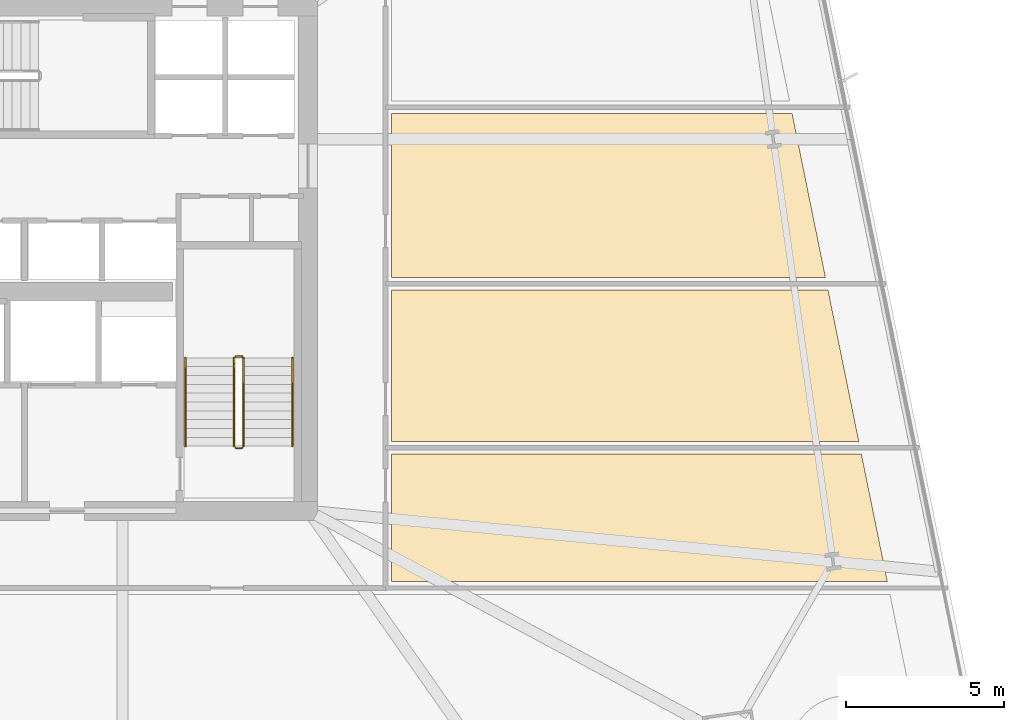
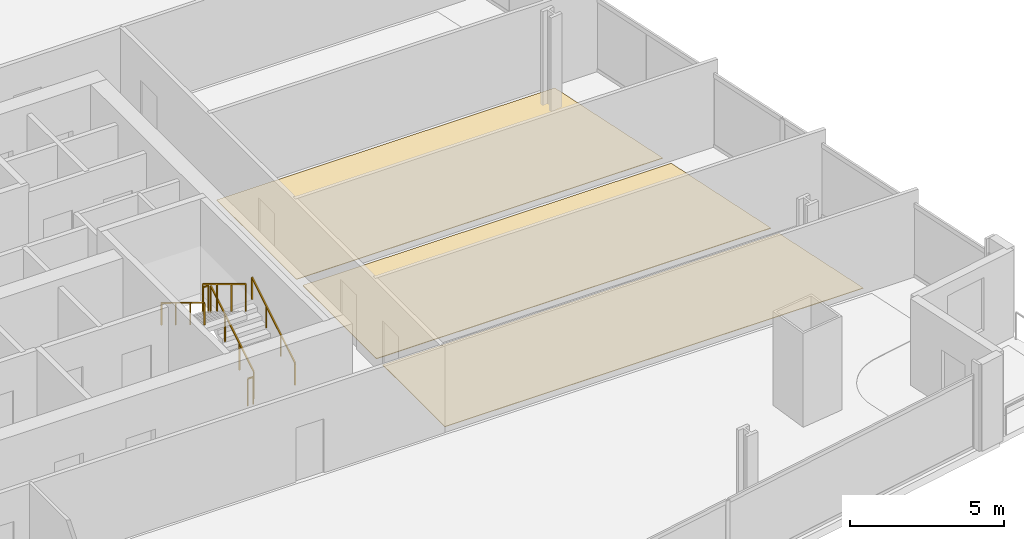
# One storey, part 31 of 33: 6 railings, 3 coverings.
"""IFC4 building model written with IfcOpenShell, lengths in metres."""

from ifc_helpers import new_model, si_unit, direction, frame, origin, origin_2d, place, context, subcontext, project, spatial, polyline, rectangle, outline, extrude, material, layer, layer_set, type_object, element, save


model = new_model("IFC4")

# Units and contexts
model_context = context("Model", 3, precision=1e-05, world=origin(), true_north=direction((0.0, 1.0)))
body_context = subcontext(model_context, "Body", "Model", "MODEL_VIEW")
ifc_project = project(units=[si_unit("LENGTHUNIT", "METRE"), si_unit("AREAUNIT", "SQUARE_METRE"), si_unit("VOLUMEUNIT", "CUBIC_METRE"), si_unit("PLANEANGLEUNIT", "RADIAN"), si_unit("MASSUNIT", "GRAM", prefix="KILO")], contexts=[model_context])

# Site, building, storey
site_placement = place(None, origin())
site = spatial("IfcSite", under=ifc_project, at=site_placement, CompositionType="ELEMENT")
building_placement = place(site_placement, origin())
building = spatial("IfcBuilding", under=site, at=building_placement, Name="Haldenkirk Collegiate Tower", CompositionType="ELEMENT")
storey_placement = place(building_placement, frame((0.0, 0.0, 66.449951171875)))
storey = spatial("IfcBuildingStorey", under=building, at=storey_placement, Name="L15", CompositionType="ELEMENT", Elevation=66.449951171875)

# Coverings
ifc_material_1 = material(Name="Polished collegiate terrazzo", Category="concrete")
ifc_layer_1 = layer(ifc_material_1, 0.02490234375)
ifc_layer_set_1 = layer_set([ifc_layer_1], Name="Polished collegiate terrazzo")
covering_type_1 = type_object("IfcCoveringType", Name="COV-FLOOR-TERRAZZO", PredefinedType="FLOORING", material=ifc_layer_set_1)
covering_1_placement = place(storey_placement, origin())
element("IfcCovering", 1, at=covering_1_placement, inside=storey, type_object=covering_type_1, Name="L15 academic room finish 08", PredefinedType="FLOORING", context=body_context, shape_type="SweptSolid", body=[
    extrude(outline(polyline([(62.4677734375, 20.199951171875), (47.64990234375, 20.199951171875), (47.64990234375, 25.0), (61.4912109375, 25.0), (62.4677734375, 20.199951171875)])), origin(), (0.0, 0.0, 1.0), 0.025146484375),
])
ifc_material_2 = material(Name="Engineered collegiate oak acoustic flooring", Category="wood")
ifc_layer_2 = layer(ifc_material_2, 0.02197265625)
ifc_layer_set_2 = layer_set([ifc_layer_2], Name="Engineered collegiate oak acoustic flooring")
covering_type_2 = type_object("IfcCoveringType", Name="COV-FLOOR-TIMBER", PredefinedType="FLOORING", material=ifc_layer_set_2)
covering_2_placement = place(storey_placement, origin())
element("IfcCovering", 2, at=covering_2_placement, inside=storey, type_object=covering_type_2, Name="L15 academic room finish 07", PredefinedType="FLOORING", context=body_context, shape_type="SweptSolid", body=[
    extrude(outline(polyline([(63.373046875, 15.75), (47.64990234375, 15.75), (47.64990234375, 19.800048828125), (62.549072265625, 19.800048828125), (63.373046875, 15.75)])), origin(), (0.0, 0.0, 1.0), 0.02197265625),
])
covering_3_placement = place(storey_placement, origin())
element("IfcCovering", 3, at=covering_3_placement, inside=storey, type_object=covering_type_2, Name="L15 academic room finish 09", PredefinedType="FLOORING", context=body_context, shape_type="SweptSolid", body=[
    extrude(outline(polyline([(61.40966796875, 25.39990234375), (47.64990234375, 25.39990234375), (47.64990234375, 30.60009765625), (60.351806640625, 30.60009765625), (61.40966796875, 25.39990234375)])), origin(), (0.0, 0.0, 1.0), 0.02197265625),
])

# Railings
ifc_material_3 = material(Name="Painted architectural tubular steel", Category="steel")
railing_type_1 = type_object("IfcRailingType", Name="RLG-STAIR-GUARD-1100", PredefinedType="BALUSTRADE", material=ifc_material_3)
railing_1_placement = place(storey_placement, frame((42.949951171875, 20.050048828125, 0.17041015625)))
element("IfcRailing", 4, at=railing_1_placement, inside=storey, type_object=railing_type_1, Name="L15 ST-2 stair guard 1", PredefinedType="BALUSTRADE", context=body_context, shape_type="SweptSolid", body=[
    extrude(rectangle(XDim=0.048095703125, YDim=0.048095703125, at=origin_2d()), frame((0.0, 0.0, 1.076171875), z_axis=(0.0, 0.854169791009, 0.51999420009), x_axis=(-1.0, 0.0, 0.0)), (0.0, 0.0, 1.0), 3.278076171875),
    extrude(rectangle(XDim=0.0419921875, YDim=0.0419921875, at=origin_2d()), origin(), (0.0, 0.0, 1.0), 1.052001953125),
    extrude(rectangle(XDim=0.0419921875, YDim=0.0419921875, at=origin_2d()), frame((0.0, 0.933349609375, 0.568115234375)), (0.0, 0.0, 1.0), 1.052001953125),
    extrude(rectangle(XDim=0.0419921875, YDim=0.0419921875, at=origin_2d()), frame((0.0, 1.86669921875, 1.136474609375)), (0.0, 0.0, 1.0), 1.052001953125),
    extrude(rectangle(XDim=0.0419921875, YDim=0.0419921875, at=origin_2d()), frame((0.0, 2.800048828125, 1.70458984375)), (0.0, 0.0, 1.0), 1.052001953125),
])
railing_2_placement = place(storey_placement, frame((42.89990234375, 22.89990234375, 1.875)))
element("IfcRailing", 5, at=railing_2_placement, inside=storey, type_object=railing_type_1, Name="L15 ST-2 stair guard 2", PredefinedType="BALUSTRADE", context=body_context, shape_type="SweptSolid", body=[
    extrude(rectangle(XDim=0.048095703125, YDim=0.048095703125, at=origin_2d()), frame((0.0, 0.0, 1.076171875), z_axis=(-1.0, 0.0, 0.0), x_axis=(0.0, -1.0, 0.0)), (0.0, 0.0, 1.0), 0.199951171875),
    extrude(rectangle(XDim=0.0419921875, YDim=0.0419921875, at=origin_2d()), origin(), (0.0, 0.0, 1.0), 1.052001953125),
    extrude(rectangle(XDim=0.0419921875, YDim=0.0419921875, at=origin_2d()), frame((-0.199951171875, 0.0, 0.0)), (0.0, 0.0, 1.0), 1.052001953125),
])
railing_3_placement = place(storey_placement, frame((42.64990234375, 22.85009765625, 2.04541015625)))
element("IfcRailing", 6, at=railing_3_placement, inside=storey, type_object=railing_type_1, Name="L15 ST-2 stair guard 3", PredefinedType="BALUSTRADE", context=body_context, shape_type="SweptSolid", body=[
    extrude(rectangle(XDim=0.048095703125, YDim=0.048095703125, at=origin_2d()), frame((0.0, 0.0, 1.076171875), z_axis=(0.0, -0.854169791009, 0.51999420009), x_axis=(1.0, 0.0, 0.0)), (0.0, 0.0, 1.0), 3.278076171875),
    extrude(rectangle(XDim=0.0419921875, YDim=0.0419921875, at=origin_2d()), origin(), (0.0, 0.0, 1.0), 1.052001953125),
    extrude(rectangle(XDim=0.0419921875, YDim=0.0419921875, at=origin_2d()), frame((0.0, -0.933349609375, 0.568115234375)), (0.0, 0.0, 1.0), 1.052001953125),
    extrude(rectangle(XDim=0.0419921875, YDim=0.0419921875, at=origin_2d()), frame((0.0, -1.86669921875, 1.136474609375)), (0.0, 0.0, 1.0), 1.052001953125),
    extrude(rectangle(XDim=0.0419921875, YDim=0.0419921875, at=origin_2d()), frame((0.0, -2.800048828125, 1.70458984375)), (0.0, 0.0, 1.0), 1.052001953125),
])
railing_4_placement = place(storey_placement, frame((42.89990234375, 20.0, 0.0)))
element("IfcRailing", 7, at=railing_4_placement, inside=storey, type_object=railing_type_1, Name="L15 ST-2 stair guard 4", PredefinedType="BALUSTRADE", context=body_context, shape_type="SweptSolid", body=[
    extrude(rectangle(XDim=0.048095703125, YDim=0.048095703125, at=origin_2d()), frame((0.0, 0.0, 1.076171875), z_axis=(-1.0, 0.0, 0.0), x_axis=(0.0, -1.0, 0.0)), (0.0, 0.0, 1.0), 0.199951171875),
    extrude(rectangle(XDim=0.0419921875, YDim=0.0419921875, at=origin_2d()), origin(), (0.0, 0.0, 1.0), 1.052001953125),
    extrude(rectangle(XDim=0.0419921875, YDim=0.0419921875, at=origin_2d()), frame((-0.199951171875, 0.0, 0.0)), (0.0, 0.0, 1.0), 1.052001953125),
])
railing_type_2 = type_object("IfcRailingType", Name="RLG-STAIR-HANDRAIL-900", PredefinedType="HANDRAIL", material=ifc_material_3)
railing_5_placement = place(storey_placement, frame((44.5, 20.050048828125, 0.17041015625)))
element("IfcRailing", 8, at=railing_5_placement, inside=storey, type_object=railing_type_2, Name="L15 ST-2 stair handrail 1", PredefinedType="HANDRAIL", context=body_context, shape_type="SweptSolid", body=[
    extrude(rectangle(XDim=0.048095703125, YDim=0.048095703125, at=origin_2d()), frame((0.0, 0.0, 0.8759765625), z_axis=(0.0, 0.854169791009, 0.51999420009), x_axis=(-1.0, 0.0, 0.0)), (0.0, 0.0, 1.0), 3.278076171875),
    extrude(rectangle(XDim=0.0419921875, YDim=0.0419921875, at=origin_2d()), origin(), (0.0, 0.0, 1.0), 0.851806640625),
    extrude(rectangle(XDim=0.0419921875, YDim=0.0419921875, at=origin_2d()), frame((0.0, 0.933349609375, 0.568115234375)), (0.0, 0.0, 1.0), 0.851806640625),
    extrude(rectangle(XDim=0.0419921875, YDim=0.0419921875, at=origin_2d()), frame((0.0, 1.86669921875, 1.136474609375)), (0.0, 0.0, 1.0), 0.851806640625),
    extrude(rectangle(XDim=0.0419921875, YDim=0.0419921875, at=origin_2d()), frame((0.0, 2.800048828125, 1.70458984375)), (0.0, 0.0, 1.0), 0.851806640625),
])
railing_6_placement = place(storey_placement, frame((41.10009765625, 22.85009765625, 2.04541015625)))
element("IfcRailing", 9, at=railing_6_placement, inside=storey, type_object=railing_type_2, Name="L15 ST-2 stair handrail 2", PredefinedType="HANDRAIL", context=body_context, shape_type="SweptSolid", body=[
    extrude(rectangle(XDim=0.048095703125, YDim=0.048095703125, at=origin_2d()), frame((0.0, 0.0, 0.8759765625), z_axis=(0.0, -0.854169791009, 0.51999420009), x_axis=(1.0, 0.0, 0.0)), (0.0, 0.0, 1.0), 3.278076171875),
    extrude(rectangle(XDim=0.0419921875, YDim=0.0419921875, at=origin_2d()), origin(), (0.0, 0.0, 1.0), 0.851806640625),
    extrude(rectangle(XDim=0.0419921875, YDim=0.0419921875, at=origin_2d()), frame((0.0, -0.933349609375, 0.568115234375)), (0.0, 0.0, 1.0), 0.851806640625),
    extrude(rectangle(XDim=0.0419921875, YDim=0.0419921875, at=origin_2d()), frame((0.0, -1.86669921875, 1.136474609375)), (0.0, 0.0, 1.0), 0.851806640625),
    extrude(rectangle(XDim=0.0419921875, YDim=0.0419921875, at=origin_2d()), frame((0.0, -2.800048828125, 1.70458984375)), (0.0, 0.0, 1.0), 0.851806640625),
])

save(model, "model.ifc")
